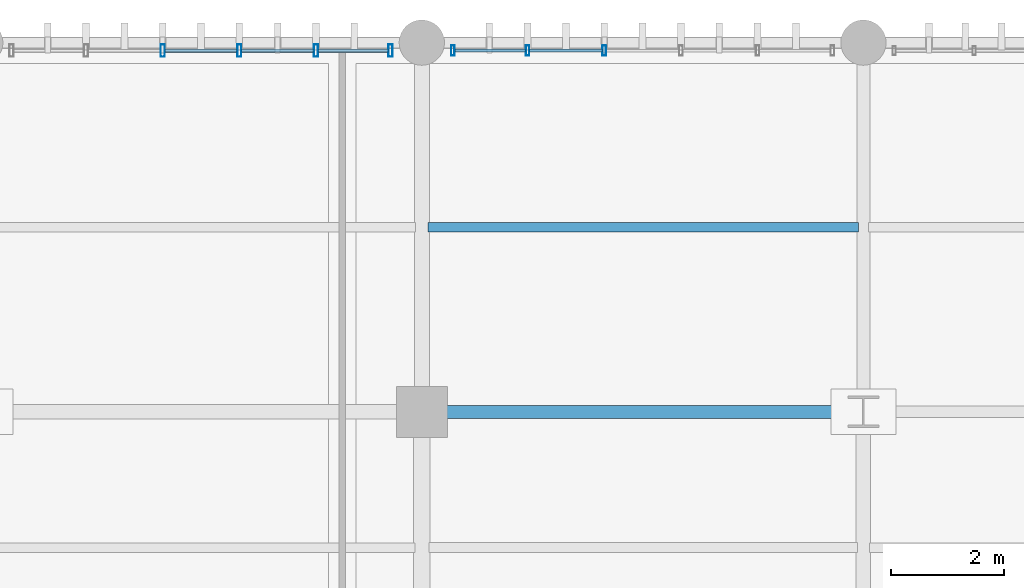
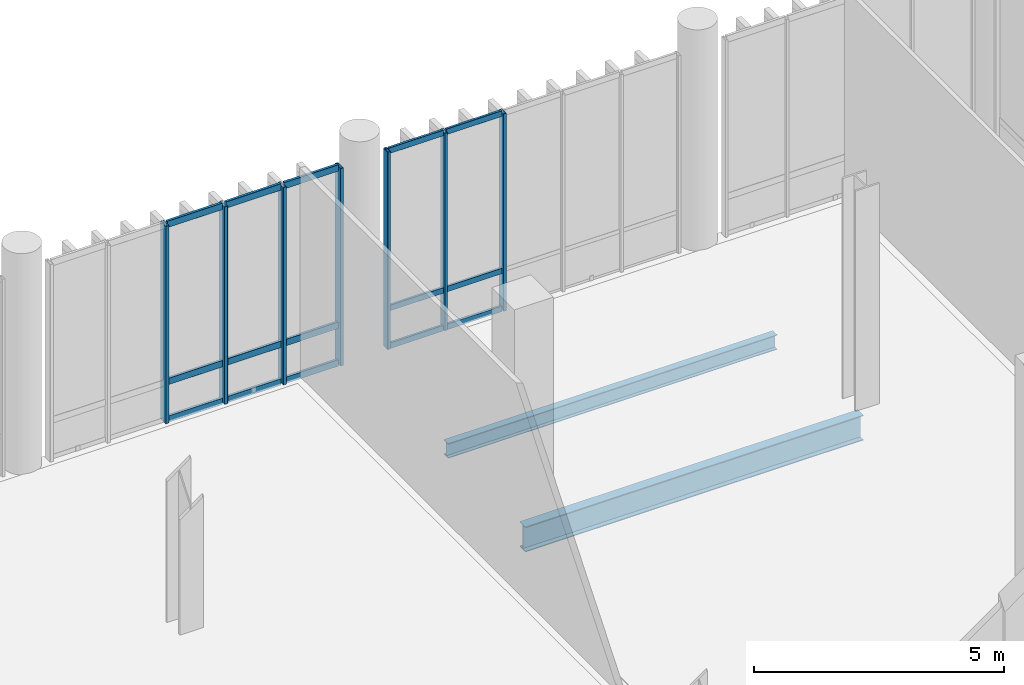
# One storey, part 72 of 112: 22 members, 2 beams, 2 elements without a shape of their own.
"""IFC4 building model written with IfcOpenShell, lengths in metres."""

from ifc_helpers import new_model, si_unit, direction, frame, origin_with_axes, origin_2d_with_axis, place, context, subcontext, project, spatial, hollow_rectangle, i_section, extrude, material, material_profile, profile_set, type_object, element, aggregate, save


model = new_model("IFC4")

# Units and contexts
model_context = context("Model", 3, precision=1e-05, world=origin_with_axes(), true_north=direction((0.0, 1.0)))
body_context = subcontext(model_context, "Body", "Model", "MODEL_VIEW")
ifc_project = project(units=[si_unit("LENGTHUNIT", "METRE"), si_unit("AREAUNIT", "SQUARE_METRE"), si_unit("VOLUMEUNIT", "CUBIC_METRE"), si_unit("PLANEANGLEUNIT", "RADIAN"), si_unit("MASSUNIT", "GRAM", prefix="KILO"), si_unit("THERMODYNAMICTEMPERATUREUNIT", "KELVIN")], contexts=[model_context])

# Site, building, storey
site_placement = place(None, origin_with_axes())
site = spatial("IfcSite", under=ifc_project, at=site_placement, CompositionType="ELEMENT")
building_placement = place(site_placement, origin_with_axes())
building = spatial("IfcBuilding", under=site, at=building_placement, Name="Montbau Bow Law Courts", CompositionType="ELEMENT")
storey_placement = place(building_placement, origin_with_axes())
storey = spatial("IfcBuildingStorey", under=building, at=storey_placement, Name="L00", CompositionType="ELEMENT", Elevation=0.0)

# Beams
ifc_material_1 = material(Name="Steel CSA G40.21 Grade 350W (350 MPa)", Category="steel")
ifc_material_profile_1 = material_profile(ifc_material_1, i_section(OverallWidth=0.229, OverallDepth=0.612, WebThickness=0.0119, FlangeThickness=0.0196, at=origin_2d_with_axis()), Name="W610X125", Category="Main", Priority=0)
ifc_profile_set_1 = profile_set([ifc_material_profile_1], Name="Steel CSA G40.21 Grade 350W (350 MPa)")
beam_type_1 = type_object("IfcBeamType", Name="B-FLR-05", PredefinedType="BEAM", material=ifc_profile_set_1)
beam_1_placement = place(None, frame((154.8, 110.4, -0.566), z_axis=(1.0, 0.0, 0.0), x_axis=(0.0, 1.0, 0.0)))
element("IfcBeam", 1, at=beam_1_placement, inside=storey, type_object=beam_type_1, Name="BM-L00-S0425:bm2_0428", PredefinedType="BEAM", context=body_context, shape_type="SweptSolid", body=[
    extrude(i_section(OverallWidth=0.229, OverallDepth=0.612, WebThickness=0.0119, FlangeThickness=0.0196, at=origin_2d_with_axis()), origin_with_axes(), (0.0, 0.0, 1.0), 7.8),
])
ifc_material_profile_2 = material_profile(ifc_material_1, i_section(OverallWidth=0.172, OverallDepth=0.358, WebThickness=0.0079, FlangeThickness=0.0131, at=origin_2d_with_axis()), Name="W360X57", Category="Main", Priority=0)
ifc_profile_set_2 = profile_set([ifc_material_profile_2], Name="Steel CSA G40.21 Grade 350W (350 MPa)")
beam_type_2 = type_object("IfcBeamType", Name="B-JST-03", PredefinedType="JOIST", material=ifc_profile_set_2)
beam_2_placement = place(None, frame((154.91, 113.66, -0.439), z_axis=(1.0, 0.0, 0.0), x_axis=(0.0, 1.0, 0.0)))
element("IfcBeam", 2, at=beam_2_placement, inside=storey, type_object=beam_type_2, Name="JST-L00-S0214:jst2_0214", PredefinedType="JOIST", context=body_context, shape_type="SweptSolid", body=[
    extrude(i_section(OverallWidth=0.172, OverallDepth=0.358, WebThickness=0.0079, FlangeThickness=0.0131, at=origin_2d_with_axis()), origin_with_axes(), (0.0, 0.0, 1.0), 7.6),
])

# Curtain wall, members
ifc_material_2 = material(Name="Thermally Broken Extruded Aluminium AA 6063-T6", Category="aluminium")
curtain_wall_type = type_object("IfcCurtainWallType", Name="CW-SLT-01", PredefinedType="NOTDEFINED", material=ifc_material_2)
curtain_wall_1_placement = place(None, frame((147.515, 116.78, 0.0), z_axis=(0.0, 0.0, 1.0), x_axis=(1.0, 0.0, 0.0)))
curtain_wall_1 = element("IfcCurtainWall", 3, at=curtain_wall_1_placement, inside=storey, type_object=curtain_wall_type, Name="CW-L00-264:cw_0264", PredefinedType="NOTDEFINED")
ifc_material_profile_3 = material_profile(ifc_material_2, hollow_rectangle(XDim=0.075, YDim=0.22, WallThickness=0.005, InnerFilletRadius=0.01, OuterFilletRadius=0.005, at=origin_2d_with_axis()), Name="CWM-220X75", Category="Main", Priority=0)
ifc_profile_set_3 = profile_set([ifc_material_profile_3], Name="Thermally Broken Extruded Aluminium AA 6063-T6")
member_type_1 = type_object("IfcMemberType", Name="M-MUL-01", PredefinedType="MULLION", material=ifc_profile_set_3)
member_1_placement = place(None, frame((150.223, 116.78, 0.0), z_axis=(0.0, 0.0, 1.0), x_axis=(1.0, 0.0, 0.0)))
member_1 = element("IfcMember", 4, at=member_1_placement, type_object=member_type_1, Name="CW-L00-264-M03:cw_0264_M03", PredefinedType="MULLION", context=body_context, shape_type="SweptSolid", body=[
    extrude(hollow_rectangle(XDim=0.075, YDim=0.22, WallThickness=0.005, InnerFilletRadius=0.01, OuterFilletRadius=0.005, at=origin_2d_with_axis()), origin_with_axes(), (0.0, 0.0, 1.0), 4.82),
])
member_2_placement = place(None, frame((151.577, 116.78, 0.0), z_axis=(0.0, 0.0, 1.0), x_axis=(1.0, 0.0, 0.0)))
member_2 = element("IfcMember", 5, at=member_2_placement, type_object=member_type_1, Name="CW-L00-264-M04:cw_0264_M04", PredefinedType="MULLION", context=body_context, shape_type="SweptSolid", body=[
    extrude(hollow_rectangle(XDim=0.075, YDim=0.22, WallThickness=0.005, InnerFilletRadius=0.01, OuterFilletRadius=0.005, at=origin_2d_with_axis()), origin_with_axes(), (0.0, 0.0, 1.0), 4.82),
])
member_3_placement = place(None, frame((152.931, 116.78, 0.0), z_axis=(0.0, 0.0, 1.0), x_axis=(1.0, 0.0, 0.0)))
member_3 = element("IfcMember", 6, at=member_3_placement, type_object=member_type_1, Name="CW-L00-264-M05:cw_0264_M05", PredefinedType="MULLION", context=body_context, shape_type="SweptSolid", body=[
    extrude(hollow_rectangle(XDim=0.075, YDim=0.22, WallThickness=0.005, InnerFilletRadius=0.01, OuterFilletRadius=0.005, at=origin_2d_with_axis()), origin_with_axes(), (0.0, 0.0, 1.0), 4.82),
])
member_4_placement = place(None, frame((154.248, 116.78, 0.0), z_axis=(0.0, 0.0, 1.0), x_axis=(1.0, 0.0, 0.0)))
member_4 = element("IfcMember", 7, at=member_4_placement, type_object=member_type_1, Name="CW-L00-264-M06:cw_0264_M06", PredefinedType="MULLION", context=body_context, shape_type="SweptSolid", body=[
    extrude(hollow_rectangle(XDim=0.075, YDim=0.22, WallThickness=0.005, InnerFilletRadius=0.01, OuterFilletRadius=0.005, at=origin_2d_with_axis()), origin_with_axes(), (0.0, 0.0, 1.0), 4.82),
])

curtain_wall_2_placement = place(None, frame((155.315, 116.78, 0.0), z_axis=(0.0, 0.0, 1.0), x_axis=(1.0, 0.0, 0.0)))
curtain_wall_2 = element("IfcCurtainWall", 8, at=curtain_wall_2_placement, inside=storey, type_object=curtain_wall_type, Name="CW-L00-265:cw_0265", PredefinedType="NOTDEFINED")
ifc_material_profile_4 = material_profile(ifc_material_2, hollow_rectangle(XDim=0.065, YDim=0.18, WallThickness=0.005, InnerFilletRadius=0.01, OuterFilletRadius=0.005, at=origin_2d_with_axis()), Name="CWM-180X65", Category="Main", Priority=0)
ifc_profile_set_4 = profile_set([ifc_material_profile_4], Name="Thermally Broken Extruded Aluminium AA 6063-T6")
member_type_2 = type_object("IfcMemberType", Name="M-MUL-02", PredefinedType="MULLION", material=ifc_profile_set_4)
member_5_placement = place(None, frame((155.348, 116.78, 0.0), z_axis=(0.0, 0.0, 1.0), x_axis=(1.0, 0.0, 0.0)))
member_5 = element("IfcMember", 9, at=member_5_placement, type_object=member_type_2, Name="CW-L00-265-M01:cw_0265_M01", PredefinedType="MULLION", context=body_context, shape_type="SweptSolid", body=[
    extrude(hollow_rectangle(XDim=0.065, YDim=0.18, WallThickness=0.005, InnerFilletRadius=0.01, OuterFilletRadius=0.005, at=origin_2d_with_axis()), origin_with_axes(), (0.0, 0.0, 1.0), 4.82),
])
member_6_placement = place(None, frame((156.669, 116.78, 0.0), z_axis=(0.0, 0.0, 1.0), x_axis=(1.0, 0.0, 0.0)))
member_6 = element("IfcMember", 10, at=member_6_placement, type_object=member_type_2, Name="CW-L00-265-M02:cw_0265_M02", PredefinedType="MULLION", context=body_context, shape_type="SweptSolid", body=[
    extrude(hollow_rectangle(XDim=0.065, YDim=0.18, WallThickness=0.005, InnerFilletRadius=0.01, OuterFilletRadius=0.005, at=origin_2d_with_axis()), origin_with_axes(), (0.0, 0.0, 1.0), 4.82),
])
member_7_placement = place(None, frame((158.023, 116.78, 0.0), z_axis=(0.0, 0.0, 1.0), x_axis=(1.0, 0.0, 0.0)))
member_7 = element("IfcMember", 11, at=member_7_placement, type_object=member_type_2, Name="CW-L00-265-M03:cw_0265_M03", PredefinedType="MULLION", context=body_context, shape_type="SweptSolid", body=[
    extrude(hollow_rectangle(XDim=0.065, YDim=0.18, WallThickness=0.005, InnerFilletRadius=0.01, OuterFilletRadius=0.005, at=origin_2d_with_axis()), origin_with_axes(), (0.0, 0.0, 1.0), 4.82),
])

# Member
ifc_material_profile_5 = material_profile(ifc_material_2, hollow_rectangle(XDim=0.06, YDim=0.16, WallThickness=0.004, InnerFilletRadius=0.008, OuterFilletRadius=0.004, at=origin_2d_with_axis()), Name="CWT-160X60", Category="Main", Priority=0)
ifc_profile_set_5 = profile_set([ifc_material_profile_5], Name="Thermally Broken Extruded Aluminium AA 6063-T6")
member_type_3 = type_object("IfcMemberType", Name="M-TRN-01", PredefinedType="USERDEFINED", material=ifc_profile_set_5)
member_8_placement = place(None, frame((150.263, 116.78, 0.03), z_axis=(1.0, 0.0, 0.0), x_axis=(0.0, 1.0, 0.0)))
member_8 = element("IfcMember", 12, at=member_8_placement, type_object=member_type_3, Name="CW-L00-264-T03-1:cw_0264_T03_1", ObjectType="TRANSOM", PredefinedType="USERDEFINED", context=body_context, shape_type="SweptSolid", body=[
    extrude(hollow_rectangle(XDim=0.06, YDim=0.16, WallThickness=0.004, InnerFilletRadius=0.008, OuterFilletRadius=0.004, at=origin_2d_with_axis()), origin_with_axes(), (0.0, 0.0, 1.0), 1.275),
])

member_9_placement = place(None, frame((150.263, 116.78, 0.95), z_axis=(1.0, 0.0, 0.0), x_axis=(0.0, 1.0, 0.0)))
member_9 = element("IfcMember", 13, at=member_9_placement, type_object=member_type_3, Name="CW-L00-264-T03-2:cw_0264_T03_2", ObjectType="TRANSOM", PredefinedType="USERDEFINED", context=body_context, shape_type="SweptSolid", body=[
    extrude(hollow_rectangle(XDim=0.06, YDim=0.16, WallThickness=0.004, InnerFilletRadius=0.008, OuterFilletRadius=0.004, at=origin_2d_with_axis()), origin_with_axes(), (0.0, 0.0, 1.0), 1.275),
])

member_10_placement = place(None, frame((150.263, 116.78, 4.79), z_axis=(1.0, 0.0, 0.0), x_axis=(0.0, 1.0, 0.0)))
member_10 = element("IfcMember", 14, at=member_10_placement, type_object=member_type_3, Name="CW-L00-264-T03-3:cw_0264_T03_3", ObjectType="TRANSOM", PredefinedType="USERDEFINED", context=body_context, shape_type="SweptSolid", body=[
    extrude(hollow_rectangle(XDim=0.06, YDim=0.16, WallThickness=0.004, InnerFilletRadius=0.008, OuterFilletRadius=0.004, at=origin_2d_with_axis()), origin_with_axes(), (0.0, 0.0, 1.0), 1.275),
])

member_11_placement = place(None, frame((151.616, 116.78, 0.03), z_axis=(1.0, 0.0, 0.0), x_axis=(0.0, 1.0, 0.0)))
member_11 = element("IfcMember", 15, at=member_11_placement, type_object=member_type_3, Name="CW-L00-264-T04-1:cw_0264_T04_1", ObjectType="TRANSOM", PredefinedType="USERDEFINED", context=body_context, shape_type="SweptSolid", body=[
    extrude(hollow_rectangle(XDim=0.06, YDim=0.16, WallThickness=0.004, InnerFilletRadius=0.008, OuterFilletRadius=0.004, at=origin_2d_with_axis()), origin_with_axes(), (0.0, 0.0, 1.0), 1.276),
])

member_12_placement = place(None, frame((151.616, 116.78, 0.95), z_axis=(1.0, 0.0, 0.0), x_axis=(0.0, 1.0, 0.0)))
member_12 = element("IfcMember", 16, at=member_12_placement, type_object=member_type_3, Name="CW-L00-264-T04-2:cw_0264_T04_2", ObjectType="TRANSOM", PredefinedType="USERDEFINED", context=body_context, shape_type="SweptSolid", body=[
    extrude(hollow_rectangle(XDim=0.06, YDim=0.16, WallThickness=0.004, InnerFilletRadius=0.008, OuterFilletRadius=0.004, at=origin_2d_with_axis()), origin_with_axes(), (0.0, 0.0, 1.0), 1.276),
])

member_13_placement = place(None, frame((151.616, 116.78, 4.79), z_axis=(1.0, 0.0, 0.0), x_axis=(0.0, 1.0, 0.0)))
member_13 = element("IfcMember", 17, at=member_13_placement, type_object=member_type_3, Name="CW-L00-264-T04-3:cw_0264_T04_3", ObjectType="TRANSOM", PredefinedType="USERDEFINED", context=body_context, shape_type="SweptSolid", body=[
    extrude(hollow_rectangle(XDim=0.06, YDim=0.16, WallThickness=0.004, InnerFilletRadius=0.008, OuterFilletRadius=0.004, at=origin_2d_with_axis()), origin_with_axes(), (0.0, 0.0, 1.0), 1.276),
])

member_14_placement = place(None, frame((152.97, 116.78, 0.03), z_axis=(1.0, 0.0, 0.0), x_axis=(0.0, 1.0, 0.0)))
member_14 = element("IfcMember", 18, at=member_14_placement, type_object=member_type_3, Name="CW-L00-264-T05-1:cw_0264_T05_1", ObjectType="TRANSOM", PredefinedType="USERDEFINED", context=body_context, shape_type="SweptSolid", body=[
    extrude(hollow_rectangle(XDim=0.06, YDim=0.16, WallThickness=0.004, InnerFilletRadius=0.008, OuterFilletRadius=0.004, at=origin_2d_with_axis()), origin_with_axes(), (0.0, 0.0, 1.0), 1.239),
])

member_15_placement = place(None, frame((152.97, 116.78, 0.95), z_axis=(1.0, 0.0, 0.0), x_axis=(0.0, 1.0, 0.0)))
member_15 = element("IfcMember", 19, at=member_15_placement, type_object=member_type_3, Name="CW-L00-264-T05-2:cw_0264_T05_2", ObjectType="TRANSOM", PredefinedType="USERDEFINED", context=body_context, shape_type="SweptSolid", body=[
    extrude(hollow_rectangle(XDim=0.06, YDim=0.16, WallThickness=0.004, InnerFilletRadius=0.008, OuterFilletRadius=0.004, at=origin_2d_with_axis()), origin_with_axes(), (0.0, 0.0, 1.0), 1.239),
])

member_16_placement = place(None, frame((152.97, 116.78, 4.79), z_axis=(1.0, 0.0, 0.0), x_axis=(0.0, 1.0, 0.0)))
member_16 = element("IfcMember", 20, at=member_16_placement, type_object=member_type_3, Name="CW-L00-264-T05-3:cw_0264_T05_3", ObjectType="TRANSOM", PredefinedType="USERDEFINED", context=body_context, shape_type="SweptSolid", body=[
    extrude(hollow_rectangle(XDim=0.06, YDim=0.16, WallThickness=0.004, InnerFilletRadius=0.008, OuterFilletRadius=0.004, at=origin_2d_with_axis()), origin_with_axes(), (0.0, 0.0, 1.0), 1.239),
])

aggregate(curtain_wall_1, [member_1, member_2, member_3, member_4, member_8, member_9, member_10, member_11, member_12, member_13, member_14, member_15, member_16])

ifc_material_profile_6 = material_profile(ifc_material_2, hollow_rectangle(XDim=0.055, YDim=0.14, WallThickness=0.004, InnerFilletRadius=0.008, OuterFilletRadius=0.004, at=origin_2d_with_axis()), Name="CWT-140X55", Category="Main", Priority=0)
ifc_profile_set_6 = profile_set([ifc_material_profile_6], Name="Thermally Broken Extruded Aluminium AA 6063-T6")
member_type_4 = type_object("IfcMemberType", Name="M-TRN-02", PredefinedType="USERDEFINED", material=ifc_profile_set_6)
member_17_placement = place(None, frame((155.383, 116.78, 0.028), z_axis=(1.0, 0.0, 0.0), x_axis=(0.0, 1.0, 0.0)))
member_17 = element("IfcMember", 21, at=member_17_placement, type_object=member_type_4, Name="CW-L00-265-T01-1:cw_0265_T01_1", ObjectType="TRANSOM", PredefinedType="USERDEFINED", context=body_context, shape_type="SweptSolid", body=[
    extrude(hollow_rectangle(XDim=0.055, YDim=0.14, WallThickness=0.004, InnerFilletRadius=0.008, OuterFilletRadius=0.004, at=origin_2d_with_axis()), origin_with_axes(), (0.0, 0.0, 1.0), 1.252),
])

member_18_placement = place(None, frame((155.383, 116.78, 0.95), z_axis=(1.0, 0.0, 0.0), x_axis=(0.0, 1.0, 0.0)))
member_18 = element("IfcMember", 22, at=member_18_placement, type_object=member_type_4, Name="CW-L00-265-T01-2:cw_0265_T01_2", ObjectType="TRANSOM", PredefinedType="USERDEFINED", context=body_context, shape_type="SweptSolid", body=[
    extrude(hollow_rectangle(XDim=0.055, YDim=0.14, WallThickness=0.004, InnerFilletRadius=0.008, OuterFilletRadius=0.004, at=origin_2d_with_axis()), origin_with_axes(), (0.0, 0.0, 1.0), 1.252),
])

member_19_placement = place(None, frame((155.383, 116.78, 4.793), z_axis=(1.0, 0.0, 0.0), x_axis=(0.0, 1.0, 0.0)))
member_19 = element("IfcMember", 23, at=member_19_placement, type_object=member_type_4, Name="CW-L00-265-T01-3:cw_0265_T01_3", ObjectType="TRANSOM", PredefinedType="USERDEFINED", context=body_context, shape_type="SweptSolid", body=[
    extrude(hollow_rectangle(XDim=0.055, YDim=0.14, WallThickness=0.004, InnerFilletRadius=0.008, OuterFilletRadius=0.004, at=origin_2d_with_axis()), origin_with_axes(), (0.0, 0.0, 1.0), 1.252),
])

member_20_placement = place(None, frame((156.704, 116.78, 0.028), z_axis=(1.0, 0.0, 0.0), x_axis=(0.0, 1.0, 0.0)))
member_20 = element("IfcMember", 24, at=member_20_placement, type_object=member_type_4, Name="CW-L00-265-T02-1:cw_0265_T02_1", ObjectType="TRANSOM", PredefinedType="USERDEFINED", context=body_context, shape_type="SweptSolid", body=[
    extrude(hollow_rectangle(XDim=0.055, YDim=0.14, WallThickness=0.004, InnerFilletRadius=0.008, OuterFilletRadius=0.004, at=origin_2d_with_axis()), origin_with_axes(), (0.0, 0.0, 1.0), 1.285),
])

member_21_placement = place(None, frame((156.704, 116.78, 0.95), z_axis=(1.0, 0.0, 0.0), x_axis=(0.0, 1.0, 0.0)))
member_21 = element("IfcMember", 25, at=member_21_placement, type_object=member_type_4, Name="CW-L00-265-T02-2:cw_0265_T02_2", ObjectType="TRANSOM", PredefinedType="USERDEFINED", context=body_context, shape_type="SweptSolid", body=[
    extrude(hollow_rectangle(XDim=0.055, YDim=0.14, WallThickness=0.004, InnerFilletRadius=0.008, OuterFilletRadius=0.004, at=origin_2d_with_axis()), origin_with_axes(), (0.0, 0.0, 1.0), 1.285),
])

member_22_placement = place(None, frame((156.704, 116.78, 4.793), z_axis=(1.0, 0.0, 0.0), x_axis=(0.0, 1.0, 0.0)))
member_22 = element("IfcMember", 26, at=member_22_placement, type_object=member_type_4, Name="CW-L00-265-T02-3:cw_0265_T02_3", ObjectType="TRANSOM", PredefinedType="USERDEFINED", context=body_context, shape_type="SweptSolid", body=[
    extrude(hollow_rectangle(XDim=0.055, YDim=0.14, WallThickness=0.004, InnerFilletRadius=0.008, OuterFilletRadius=0.004, at=origin_2d_with_axis()), origin_with_axes(), (0.0, 0.0, 1.0), 1.285),
])

aggregate(curtain_wall_2, [member_5, member_6, member_7, member_17, member_18, member_19, member_20, member_21, member_22])

save(model, "model.ifc")
